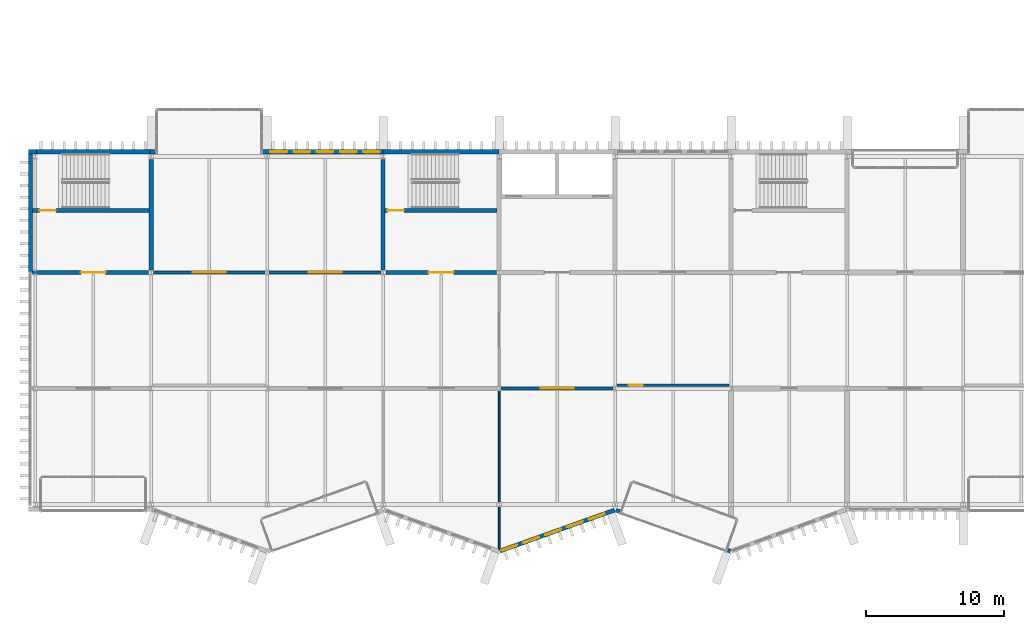
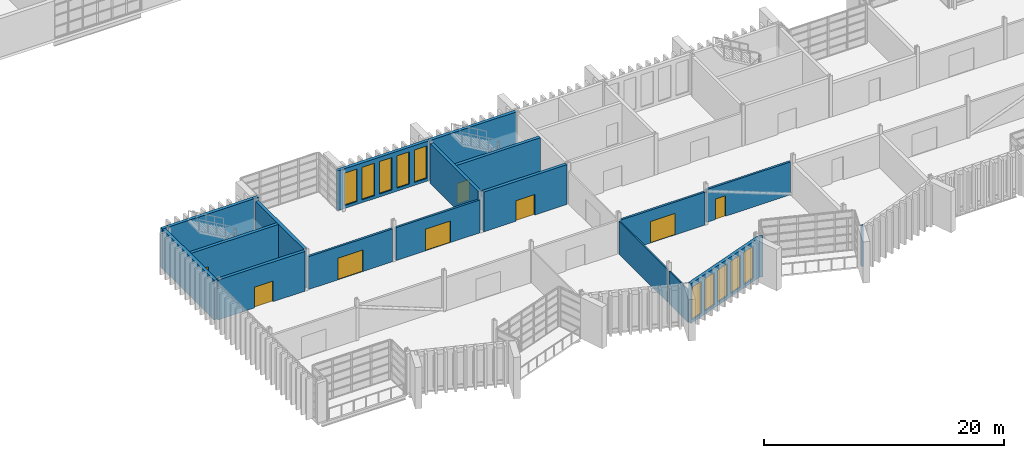
# One storey, part 60 of 100: 21 walls, 10 windows, 8 doors, 18 openings.
"""IFC4 building model written with IfcOpenShell, lengths in metres."""

from ifc_helpers import new_model, si_unit, direction, frame, frame_2d, origin, place, context, subcontext, project, spatial, rectangle, extrude, material, layer, layer_set, type_object, element, fill, save


model = new_model("IFC4")

# Units and contexts
model_context = context("Model", 3, precision=1e-05, world=origin(), true_north=direction((0.0, 1.0)))
body_context = subcontext(model_context, "Body", "Model", "MODEL_VIEW")
ifc_project = project(units=[si_unit("LENGTHUNIT", "METRE"), si_unit("AREAUNIT", "SQUARE_METRE"), si_unit("VOLUMEUNIT", "CUBIC_METRE"), si_unit("PLANEANGLEUNIT", "RADIAN"), si_unit("MASSUNIT", "GRAM", prefix="KILO")], contexts=[model_context])

# Site, building, storey
site_placement = place(None, origin())
site = spatial("IfcSite", under=ifc_project, at=site_placement, CompositionType="ELEMENT")
building_placement = place(site_placement, origin())
building = spatial("IfcBuilding", under=site, at=building_placement, Name="Cresset Court Congress Hotel", CompositionType="ELEMENT")
storey_placement = place(building_placement, frame((0.0, 0.0, 10.199951171875)))
storey = spatial("IfcBuildingStorey", under=building, at=storey_placement, Name="L02", CompositionType="ELEMENT", Elevation=10.199951171875)

# Wall
ifc_material_1 = material(Name="Concrete C50", Category="concrete")
ifc_layer_1 = layer(ifc_material_1, 0.300048828125)
ifc_layer_set_1 = layer_set([ifc_layer_1], Name="Core wall 300 Concrete C50")
wall_type_1 = type_object("IfcWallType", Name="Core wall 300 Concrete C50", PredefinedType="SHEAR", material=ifc_layer_set_1)
wall_1_placement = place(storey_placement, frame((16.800048828125, 17.0, 0.0), z_axis=(0.0, 0.0, 1.0), x_axis=(0.0, 1.0, 0.0)))
element("IfcWall", 1, at=wall_1_placement, inside=storey, type_object=wall_type_1, Name="Core wall ST-B1", PredefinedType="SHEAR", context=body_context, shape_type="SweptSolid", body=[
    extrude(rectangle(XDim=8.0, YDim=0.300048828125, at=frame_2d((4.0, 0.0))), origin(), (0.0, 0.0, 1.0), 4.050048828125),
])

# Wall, opening, door
wall_2_placement = place(storey_placement, frame((8.199951171875, 16.800048828125, 0.0), z_axis=(0.0, 0.0, 1.0), x_axis=(1.0, 0.0, 0.0)))
wall_2 = element("IfcWall", 2, at=wall_2_placement, inside=storey, type_object=wall_type_1, Name="Core wall ST-B1", PredefinedType="SHEAR", context=body_context, shape_type="SweptSolid", body=[
    extrude(rectangle(XDim=8.400146484375, YDim=0.300048828125, at=frame_2d((4.2001953125, 0.0))), origin(), (0.0, 0.0, 1.0), 4.050048828125),
])
opening_1_placement = place(wall_2_placement, frame((3.5, 0.0, 0.0)))
opening_1 = element("IfcOpeningElement", 3, at=opening_1_placement, cuts=wall_2, Name="Opening DB-02-42", PredefinedType="OPENING", context=body_context, shape_type="SweptSolid", body=[
    extrude(rectangle(XDim=1.800048828125, YDim=2.10009765625, at=frame_2d((0.89990234375, 1.050048828125))), frame((0.0, 0.159912109375, 0.0), z_axis=(0.0, -1.0, 0.0), x_axis=(1.0, 0.0, 0.0)), (0.0, 0.0, 1.0), 0.320068359375),
])
ifc_material_2 = material(Name="Timber and steel frame", Category="steel")
door_type_1 = type_object("IfcDoorType", Name="Lobby fire door FD60 double 1800x2100", OperationType="DOUBLE_DOOR_SINGLE_SWING", PredefinedType="DOOR", material=ifc_material_2)
door_1_placement = place(opening_1_placement, origin())
door_1 = element("IfcDoor", 4, at=door_1_placement, inside=storey, type_object=door_type_1, Name="Stair lobby door ST-B1", OperationType="DOUBLE_DOOR_SINGLE_SWING", OverallHeight=2.10009765625, OverallWidth=1.800048828125, PredefinedType="DOOR", context=body_context, shape_type="SweptSolid", body=[
    extrude(rectangle(XDim=1.800048828125, YDim=2.10009765625, at=frame_2d((0.89990234375, 1.050048828125))), frame((0.0, 0.02490234375, 0.0), z_axis=(0.0, -1.0, 0.0), x_axis=(1.0, 0.0, 0.0)), (0.0, 0.0, 1.0), 0.050048828125),
])
fill(opening_1, door_1)

wall_3_placement = place(storey_placement, frame((8.199951171875, 21.300048828125, 0.0), z_axis=(0.0, 0.0, 1.0), x_axis=(1.0, 0.0, 0.0)))
wall_3 = element("IfcWall", 5, at=wall_3_placement, inside=storey, type_object=wall_type_1, Name="Core wall ST-B1", PredefinedType="SHEAR", context=body_context, shape_type="SweptSolid", body=[
    extrude(rectangle(XDim=8.449951171875, YDim=0.300048828125, at=frame_2d((4.22509765625, 0.0))), origin(), (0.0, 0.0, 1.0), 4.050048828125),
])
opening_2_placement = place(wall_3_placement, frame((0.5, 0.0, 0.0)))
opening_2 = element("IfcOpeningElement", 6, at=opening_2_placement, cuts=wall_3, Name="Opening DB-02-41", PredefinedType="OPENING", context=body_context, shape_type="SweptSolid", body=[
    extrude(rectangle(XDim=1.199951171875, YDim=2.10009765625, at=frame_2d((0.60009765625, 1.050048828125))), frame((0.0, 0.159912109375, 0.0), z_axis=(0.0, -1.0, 0.0), x_axis=(1.0, 0.0, 0.0)), (0.0, 0.0, 1.0), 0.320068359375),
])
ifc_material_3 = material(Name="Timber and steel frame", Category="steel")
door_type_2 = type_object("IfcDoorType", Name="Stair fire door FD60 1200x2100", OperationType="SINGLE_SWING_LEFT", PredefinedType="DOOR", material=ifc_material_3)
door_2_placement = place(opening_2_placement, origin())
door_2 = element("IfcDoor", 7, at=door_2_placement, inside=storey, type_object=door_type_2, Name="Stair door ST-B1", OperationType="SINGLE_SWING_LEFT", OverallHeight=2.10009765625, OverallWidth=1.199951171875, PredefinedType="DOOR", context=body_context, shape_type="SweptSolid", body=[
    extrude(rectangle(XDim=1.199951171875, YDim=2.10009765625, at=frame_2d((0.60009765625, 1.050048828125))), frame((0.0, 0.02490234375, 0.0), z_axis=(0.0, -1.0, 0.0), x_axis=(1.0, 0.0, 0.0)), (0.0, 0.0, 1.0), 0.050048828125),
])
fill(opening_2, door_2)

# Wall
wall_4_placement = place(storey_placement, frame((33.60009765625, 17.0, 0.0), z_axis=(0.0, 0.0, 1.0), x_axis=(0.0, 1.0, 0.0)))
element("IfcWall", 8, at=wall_4_placement, inside=storey, type_object=wall_type_1, Name="Core wall ST-B2", PredefinedType="SHEAR", context=body_context, shape_type="SweptSolid", body=[
    extrude(rectangle(XDim=8.0, YDim=0.300048828125, at=frame_2d((4.0, 0.0))), origin(), (0.0, 0.0, 1.0), 4.050048828125),
])

# Wall, opening, door
wall_5_placement = place(storey_placement, frame((33.800048828125, 16.800048828125, 0.0), z_axis=(0.0, 0.0, 1.0), x_axis=(1.0, 0.0, 0.0)))
wall_5 = element("IfcWall", 9, at=wall_5_placement, inside=storey, type_object=wall_type_1, Name="Core wall ST-B2", PredefinedType="SHEAR", context=body_context, shape_type="SweptSolid", body=[
    extrude(rectangle(XDim=8.0, YDim=0.300048828125, at=frame_2d((4.0, 0.0))), origin(), (0.0, 0.0, 1.0), 4.050048828125),
])
opening_3_placement = place(wall_5_placement, frame((3.10009765625, 0.0, 0.0)))
opening_3 = element("IfcOpeningElement", 10, at=opening_3_placement, cuts=wall_5, Name="Opening DB-02-44", PredefinedType="OPENING", context=body_context, shape_type="SweptSolid", body=[
    extrude(rectangle(XDim=1.800048828125, YDim=2.10009765625, at=frame_2d((0.89990234375, 1.050048828125))), frame((0.0, 0.159912109375, 0.0), z_axis=(0.0, -1.0, 0.0), x_axis=(1.0, 0.0, 0.0)), (0.0, 0.0, 1.0), 0.320068359375),
])
door_3_placement = place(opening_3_placement, origin())
door_3 = element("IfcDoor", 11, at=door_3_placement, inside=storey, type_object=door_type_1, Name="Stair lobby door ST-B2", OperationType="DOUBLE_DOOR_SINGLE_SWING", OverallHeight=2.10009765625, OverallWidth=1.800048828125, PredefinedType="DOOR", context=body_context, shape_type="SweptSolid", body=[
    extrude(rectangle(XDim=1.800048828125, YDim=2.10009765625, at=frame_2d((0.89990234375, 1.050048828125))), frame((0.0, 0.02490234375, 0.0), z_axis=(0.0, -1.0, 0.0), x_axis=(1.0, 0.0, 0.0)), (0.0, 0.0, 1.0), 0.050048828125),
])
fill(opening_3, door_3)

wall_6_placement = place(storey_placement, frame((33.75, 21.300048828125, 0.0), z_axis=(0.0, 0.0, 1.0), x_axis=(1.0, 0.0, 0.0)))
wall_6 = element("IfcWall", 12, at=wall_6_placement, inside=storey, type_object=wall_type_1, Name="Core wall ST-B2", PredefinedType="SHEAR", context=body_context, shape_type="SweptSolid", body=[
    extrude(rectangle(XDim=8.10009765625, YDim=0.300048828125, at=frame_2d((4.050048828125, 0.0))), origin(), (0.0, 0.0, 1.0), 4.050048828125),
])
opening_4_placement = place(wall_6_placement, frame((0.14990234375, 0.0, 0.0)))
opening_4 = element("IfcOpeningElement", 13, at=opening_4_placement, cuts=wall_6, Name="Opening DB-02-43", PredefinedType="OPENING", context=body_context, shape_type="SweptSolid", body=[
    extrude(rectangle(XDim=1.199951171875, YDim=2.10009765625, at=frame_2d((0.60009765625, 1.050048828125))), frame((0.0, 0.159912109375, 0.0), z_axis=(0.0, -1.0, 0.0), x_axis=(1.0, 0.0, 0.0)), (0.0, 0.0, 1.0), 0.320068359375),
])
door_4_placement = place(opening_4_placement, origin())
door_4 = element("IfcDoor", 14, at=door_4_placement, inside=storey, type_object=door_type_2, Name="Stair door ST-B2", OperationType="SINGLE_SWING_LEFT", OverallHeight=2.10009765625, OverallWidth=1.199951171875, PredefinedType="DOOR", context=body_context, shape_type="SweptSolid", body=[
    extrude(rectangle(XDim=1.199951171875, YDim=2.10009765625, at=frame_2d((0.60009765625, 1.050048828125))), frame((0.0, 0.02490234375, 0.0), z_axis=(0.0, -1.0, 0.0), x_axis=(1.0, 0.0, 0.0)), (0.0, 0.0, 1.0), 0.050048828125),
])
fill(opening_4, door_4)

# Walls
ifc_material_4 = material(Name="Concrete C50", Category="concrete")
ifc_layer_2 = layer(ifc_material_4, 0.300048828125)
ifc_layer_set_2 = layer_set([ifc_layer_2], Name="Core wall 300 Concrete C50 external")
wall_type_2 = type_object("IfcWallType", Name="Core wall 300 Concrete C50 external", PredefinedType="SHEAR", material=ifc_layer_set_2)
wall_7_placement = place(storey_placement, frame((8.050048828125, 16.800048828125, 0.0), z_axis=(0.0, 0.0, 1.0), x_axis=(0.0, 1.0, 0.0)))
element("IfcWall", 15, at=wall_7_placement, inside=storey, type_object=wall_type_2, Name="Core wall ST-B1", PredefinedType="SHEAR", context=body_context, shape_type="SweptSolid", body=[
    extrude(rectangle(XDim=8.599853515625, YDim=0.300048828125, at=frame_2d((4.2998046875, 0.0))), origin(), (0.0, 0.0, 1.0), 4.050048828125),
])
wall_8_placement = place(storey_placement, frame((8.39990234375, 25.550048828125, 0.0), z_axis=(0.0, 0.0, 1.0), x_axis=(1.0, 0.0, 0.0)))
element("IfcWall", 16, at=wall_8_placement, inside=storey, type_object=wall_type_2, Name="Core wall ST-B1", PredefinedType="SHEAR", context=body_context, shape_type="SweptSolid", body=[
    extrude(rectangle(XDim=8.400146484375, YDim=0.300048828125, at=frame_2d((4.2001953125, 0.0))), origin(), (0.0, 0.0, 1.0), 4.050048828125),
])
wall_9_placement = place(storey_placement, frame((33.60009765625, 25.550048828125, 0.0), z_axis=(0.0, 0.0, 1.0), x_axis=(1.0, 0.0, 0.0)))
element("IfcWall", 17, at=wall_9_placement, inside=storey, type_object=wall_type_2, Name="Core wall ST-B2", PredefinedType="SHEAR", context=body_context, shape_type="SweptSolid", body=[
    extrude(rectangle(XDim=8.39990234375, YDim=0.300048828125, at=frame_2d((4.199951171875, 0.0))), origin(), (0.0, 0.0, 1.0), 4.050048828125),
])

# Wall, openings, windows
ifc_material_5 = material(Name="Concrete C40", Category="concrete")
ifc_layer_3 = layer(ifc_material_5, 0.300048828125)
ifc_layer_set_3 = layer_set([ifc_layer_3], Name="External wall 300 Concrete C40")
wall_type_3 = type_object("IfcWallType", Name="External wall 300 Concrete C40", PredefinedType="SOLIDWALL", material=ifc_layer_set_3)
wall_10_placement = place(storey_placement, frame((42.050537109375, -3.372802734375, 0.0), z_axis=(0.0, 0.0, 1.0), x_axis=(0.941736270411, 0.336352191894, 0.0)))
wall_10 = element("IfcWall", 18, at=wall_10_placement, inside=storey, type_object=wall_type_3, Name="External wall", PredefinedType="SOLIDWALL", context=body_context, shape_type="SweptSolid", body=[
    extrude(rectangle(XDim=8.8125, YDim=0.300048828125, at=frame_2d((4.40625, 0.0))), origin(), (0.0, 0.0, 1.0), 4.050048828125),
])
opening_5_placement = place(wall_10_placement, frame((0.1328125, 0.0, 0.300048828125)))
opening_5 = element("IfcOpeningElement", 19, at=opening_5_placement, cuts=wall_10, Name="Opening NB-02-24", PredefinedType="OPENING", context=body_context, shape_type="SweptSolid", body=[
    extrude(rectangle(XDim=1.199951171875, YDim=3.300048828125, at=frame_2d((0.60009765625, 1.64990234375))), frame((0.0, 0.159912109375, 0.0), z_axis=(0.0, -1.0, 0.0), x_axis=(1.0, 0.0, 0.0)), (0.0, 0.0, 1.0), 0.320068359375),
])
opening_6_placement = place(wall_10_placement, frame((1.81298828125, 0.0, 0.300048828125)))
opening_6 = element("IfcOpeningElement", 20, at=opening_6_placement, cuts=wall_10, Name="Opening NB-02-25", PredefinedType="OPENING", context=body_context, shape_type="SweptSolid", body=[
    extrude(rectangle(XDim=1.199951171875, YDim=3.300048828125, at=frame_2d((0.60009765625, 1.64990234375))), frame((0.0, 0.159912109375, 0.0), z_axis=(0.0, -1.0, 0.0), x_axis=(1.0, 0.0, 0.0)), (0.0, 0.0, 1.0), 0.320068359375),
])
opening_7_placement = place(wall_10_placement, frame((3.492919921875, 0.0, 0.300048828125)))
opening_7 = element("IfcOpeningElement", 21, at=opening_7_placement, cuts=wall_10, Name="Opening NB-02-26", PredefinedType="OPENING", context=body_context, shape_type="SweptSolid", body=[
    extrude(rectangle(XDim=1.199951171875, YDim=3.300048828125, at=frame_2d((0.60009765625, 1.64990234375))), frame((0.0, 0.159912109375, 0.0), z_axis=(0.0, -1.0, 0.0), x_axis=(1.0, 0.0, 0.0)), (0.0, 0.0, 1.0), 0.320068359375),
])
opening_8_placement = place(wall_10_placement, frame((5.1728515625, 0.0, 0.300048828125)))
opening_8 = element("IfcOpeningElement", 22, at=opening_8_placement, cuts=wall_10, Name="Opening NB-02-27", PredefinedType="OPENING", context=body_context, shape_type="SweptSolid", body=[
    extrude(rectangle(XDim=1.199951171875, YDim=3.300048828125, at=frame_2d((0.60009765625, 1.64990234375))), frame((0.0, 0.159912109375, 0.0), z_axis=(0.0, -1.0, 0.0), x_axis=(1.0, 0.0, 0.0)), (0.0, 0.0, 1.0), 0.320068359375),
])
opening_9_placement = place(wall_10_placement, frame((6.852783203125, 0.0, 0.300048828125)))
opening_9 = element("IfcOpeningElement", 23, at=opening_9_placement, cuts=wall_10, Name="Opening NB-02-28", PredefinedType="OPENING", context=body_context, shape_type="SweptSolid", body=[
    extrude(rectangle(XDim=1.199951171875, YDim=3.300048828125, at=frame_2d((0.60009765625, 1.64990234375))), frame((0.0, 0.159912109375, 0.0), z_axis=(0.0, -1.0, 0.0), x_axis=(1.0, 0.0, 0.0)), (0.0, 0.0, 1.0), 0.320068359375),
])
ifc_material_6 = material(Name="Aluminium frame with double glazing", Category="aluminium")
window_type = type_object("IfcWindowType", Name="Window 1200x3300", PartitioningType="TRIPLE_PANEL_VERTICAL", PredefinedType="WINDOW", material=ifc_material_6)
window_1_placement = place(opening_5_placement, origin())
window_1 = element("IfcWindow", 24, at=window_1_placement, inside=storey, type_object=window_type, Name="Window NB-02-24", OverallHeight=3.300048828125, OverallWidth=1.199951171875, PartitioningType="TRIPLE_PANEL_VERTICAL", PredefinedType="WINDOW", context=body_context, shape_type="SweptSolid", body=[
    extrude(rectangle(XDim=1.199951171875, YDim=3.300048828125, at=frame_2d((0.60009765625, 1.64990234375))), frame((0.0, 0.030029296875, 0.0), z_axis=(0.0, -1.0, 0.0), x_axis=(1.0, 0.0, 0.0)), (0.0, 0.0, 1.0), 0.06005859375),
])
fill(opening_5, window_1)
window_2_placement = place(opening_6_placement, origin())
window_2 = element("IfcWindow", 25, at=window_2_placement, inside=storey, type_object=window_type, Name="Window NB-02-25", OverallHeight=3.300048828125, OverallWidth=1.199951171875, PartitioningType="TRIPLE_PANEL_VERTICAL", PredefinedType="WINDOW", context=body_context, shape_type="SweptSolid", body=[
    extrude(rectangle(XDim=1.199951171875, YDim=3.300048828125, at=frame_2d((0.60009765625, 1.64990234375))), frame((0.0, 0.030029296875, 0.0), z_axis=(0.0, -1.0, 0.0), x_axis=(1.0, 0.0, 0.0)), (0.0, 0.0, 1.0), 0.06005859375),
])
fill(opening_6, window_2)
window_3_placement = place(opening_7_placement, origin())
window_3 = element("IfcWindow", 26, at=window_3_placement, inside=storey, type_object=window_type, Name="Window NB-02-26", OverallHeight=3.300048828125, OverallWidth=1.199951171875, PartitioningType="TRIPLE_PANEL_VERTICAL", PredefinedType="WINDOW", context=body_context, shape_type="SweptSolid", body=[
    extrude(rectangle(XDim=1.199951171875, YDim=3.300048828125, at=frame_2d((0.60009765625, 1.64990234375))), frame((0.0, 0.030029296875, 0.0), z_axis=(0.0, -1.0, 0.0), x_axis=(1.0, 0.0, 0.0)), (0.0, 0.0, 1.0), 0.06005859375),
])
fill(opening_7, window_3)
window_4_placement = place(opening_8_placement, origin())
window_4 = element("IfcWindow", 27, at=window_4_placement, inside=storey, type_object=window_type, Name="Window NB-02-27", OverallHeight=3.300048828125, OverallWidth=1.199951171875, PartitioningType="TRIPLE_PANEL_VERTICAL", PredefinedType="WINDOW", context=body_context, shape_type="SweptSolid", body=[
    extrude(rectangle(XDim=1.199951171875, YDim=3.300048828125, at=frame_2d((0.60009765625, 1.64990234375))), frame((0.0, 0.030029296875, 0.0), z_axis=(0.0, -1.0, 0.0), x_axis=(1.0, 0.0, 0.0)), (0.0, 0.0, 1.0), 0.06005859375),
])
fill(opening_8, window_4)
window_5_placement = place(opening_9_placement, origin())
window_5 = element("IfcWindow", 28, at=window_5_placement, inside=storey, type_object=window_type, Name="Window NB-02-28", OverallHeight=3.300048828125, OverallWidth=1.199951171875, PartitioningType="TRIPLE_PANEL_VERTICAL", PredefinedType="WINDOW", context=body_context, shape_type="SweptSolid", body=[
    extrude(rectangle(XDim=1.199951171875, YDim=3.300048828125, at=frame_2d((0.60009765625, 1.64990234375))), frame((0.0, 0.030029296875, 0.0), z_axis=(0.0, -1.0, 0.0), x_axis=(1.0, 0.0, 0.0)), (0.0, 0.0, 1.0), 0.06005859375),
])
fill(opening_9, window_5)

# Walls
wall_11_placement = place(storey_placement, frame((50.450439453125, -0.40869140625, 0.0), z_axis=(0.0, 0.0, 1.0), x_axis=(0.941797147708, -0.336181695768, 0.0)))
element("IfcWall", 29, at=wall_11_placement, inside=storey, type_object=wall_type_3, Name="External wall", PredefinedType="SOLIDWALL", context=body_context, shape_type="SweptSolid", body=[
    extrude(rectangle(XDim=0.300048828125, YDim=0.300048828125, at=frame_2d((0.14990234375, 0.0))), origin(), (0.0, 0.0, 1.0), 4.050048828125),
])
wall_12_placement = place(storey_placement, frame((58.56787109375, -3.307861328125, 0.0), z_axis=(0.0, 0.0, 1.0), x_axis=(0.942000485661, -0.335611509061, 0.0)))
element("IfcWall", 30, at=wall_12_placement, inside=storey, type_object=wall_type_3, Name="External wall", PredefinedType="SOLIDWALL", context=body_context, shape_type="SweptSolid", body=[
    extrude(rectangle(XDim=0.192138671875, YDim=0.300048828125, at=frame_2d((0.09619140625, 0.0))), origin(), (0.0, 0.0, 1.0), 4.050048828125),
])
wall_13_placement = place(storey_placement, frame((7.89990234375, 25.550048828125, 0.0), z_axis=(0.0, 0.0, 1.0), x_axis=(1.0, 0.0, 0.0)))
element("IfcWall", 31, at=wall_13_placement, inside=storey, type_object=wall_type_3, Name="External wall", PredefinedType="SOLIDWALL", context=body_context, shape_type="SweptSolid", body=[
    extrude(rectangle(XDim=0.60009765625, YDim=0.300048828125, at=frame_2d((0.300048828125, 0.0))), origin(), (0.0, 0.0, 1.0), 4.050048828125),
])
wall_14_placement = place(storey_placement, frame((16.699951171875, 25.550048828125, 0.0), z_axis=(0.0, 0.0, 1.0), x_axis=(1.0, 0.0, 0.0)))
element("IfcWall", 32, at=wall_14_placement, inside=storey, type_object=wall_type_3, Name="External wall", PredefinedType="SOLIDWALL", context=body_context, shape_type="SweptSolid", body=[
    extrude(rectangle(XDim=0.5, YDim=0.300048828125, at=frame_2d((0.25, 0.0))), origin(), (0.0, 0.0, 1.0), 4.050048828125),
])

# Wall, openings, windows
wall_15_placement = place(storey_placement, frame((24.800048828125, 25.550048828125, 0.0), z_axis=(0.0, 0.0, 1.0), x_axis=(1.0, 0.0, 0.0)))
wall_15 = element("IfcWall", 33, at=wall_15_placement, inside=storey, type_object=wall_type_3, Name="External wall", PredefinedType="SOLIDWALL", context=body_context, shape_type="SweptSolid", body=[
    extrude(rectangle(XDim=8.89990234375, YDim=0.300048828125, at=frame_2d((4.449951171875, 0.0))), origin(), (0.0, 0.0, 1.0), 4.050048828125),
])
opening_10_placement = place(wall_15_placement, frame((0.639892578125, 0.0, 0.300048828125)))
opening_10 = element("IfcOpeningElement", 34, at=opening_10_placement, cuts=wall_15, Name="Opening NB-02-49", PredefinedType="OPENING", context=body_context, shape_type="SweptSolid", body=[
    extrude(rectangle(XDim=1.199951171875, YDim=3.300048828125, at=frame_2d((0.60009765625, 1.64990234375))), frame((0.0, 0.159912109375, 0.0), z_axis=(0.0, -1.0, 0.0), x_axis=(1.0, 0.0, 0.0)), (0.0, 0.0, 1.0), 0.320068359375),
])
opening_11_placement = place(wall_15_placement, frame((2.320068359375, 0.0, 0.300048828125)))
opening_11 = element("IfcOpeningElement", 35, at=opening_11_placement, cuts=wall_15, Name="Opening NB-02-50", PredefinedType="OPENING", context=body_context, shape_type="SweptSolid", body=[
    extrude(rectangle(XDim=1.199951171875, YDim=3.300048828125, at=frame_2d((0.60009765625, 1.64990234375))), frame((0.0, 0.159912109375, 0.0), z_axis=(0.0, -1.0, 0.0), x_axis=(1.0, 0.0, 0.0)), (0.0, 0.0, 1.0), 0.320068359375),
])
opening_12_placement = place(wall_15_placement, frame((4.0, 0.0, 0.300048828125)))
opening_12 = element("IfcOpeningElement", 36, at=opening_12_placement, cuts=wall_15, Name="Opening NB-02-51", PredefinedType="OPENING", context=body_context, shape_type="SweptSolid", body=[
    extrude(rectangle(XDim=1.199951171875, YDim=3.300048828125, at=frame_2d((0.60009765625, 1.64990234375))), frame((0.0, 0.159912109375, 0.0), z_axis=(0.0, -1.0, 0.0), x_axis=(1.0, 0.0, 0.0)), (0.0, 0.0, 1.0), 0.320068359375),
])
opening_13_placement = place(wall_15_placement, frame((5.679931640625, 0.0, 0.300048828125)))
opening_13 = element("IfcOpeningElement", 37, at=opening_13_placement, cuts=wall_15, Name="Opening NB-02-52", PredefinedType="OPENING", context=body_context, shape_type="SweptSolid", body=[
    extrude(rectangle(XDim=1.199951171875, YDim=3.300048828125, at=frame_2d((0.60009765625, 1.64990234375))), frame((0.0, 0.159912109375, 0.0), z_axis=(0.0, -1.0, 0.0), x_axis=(1.0, 0.0, 0.0)), (0.0, 0.0, 1.0), 0.320068359375),
])
opening_14_placement = place(wall_15_placement, frame((7.360107421875, 0.0, 0.300048828125)))
opening_14 = element("IfcOpeningElement", 38, at=opening_14_placement, cuts=wall_15, Name="Opening NB-02-53", PredefinedType="OPENING", context=body_context, shape_type="SweptSolid", body=[
    extrude(rectangle(XDim=1.199951171875, YDim=3.300048828125, at=frame_2d((0.60009765625, 1.64990234375))), frame((0.0, 0.159912109375, 0.0), z_axis=(0.0, -1.0, 0.0), x_axis=(1.0, 0.0, 0.0)), (0.0, 0.0, 1.0), 0.320068359375),
])
window_6_placement = place(opening_10_placement, origin())
window_6 = element("IfcWindow", 39, at=window_6_placement, inside=storey, type_object=window_type, Name="Window NB-02-49", OverallHeight=3.300048828125, OverallWidth=1.199951171875, PartitioningType="TRIPLE_PANEL_VERTICAL", PredefinedType="WINDOW", context=body_context, shape_type="SweptSolid", body=[
    extrude(rectangle(XDim=1.199951171875, YDim=3.300048828125, at=frame_2d((0.60009765625, 1.64990234375))), frame((0.0, 0.030029296875, 0.0), z_axis=(0.0, -1.0, 0.0), x_axis=(1.0, 0.0, 0.0)), (0.0, 0.0, 1.0), 0.06005859375),
])
fill(opening_10, window_6)
window_7_placement = place(opening_11_placement, origin())
window_7 = element("IfcWindow", 40, at=window_7_placement, inside=storey, type_object=window_type, Name="Window NB-02-50", OverallHeight=3.300048828125, OverallWidth=1.199951171875, PartitioningType="TRIPLE_PANEL_VERTICAL", PredefinedType="WINDOW", context=body_context, shape_type="SweptSolid", body=[
    extrude(rectangle(XDim=1.199951171875, YDim=3.300048828125, at=frame_2d((0.60009765625, 1.64990234375))), frame((0.0, 0.030029296875, 0.0), z_axis=(0.0, -1.0, 0.0), x_axis=(1.0, 0.0, 0.0)), (0.0, 0.0, 1.0), 0.06005859375),
])
fill(opening_11, window_7)
window_8_placement = place(opening_12_placement, origin())
window_8 = element("IfcWindow", 41, at=window_8_placement, inside=storey, type_object=window_type, Name="Window NB-02-51", OverallHeight=3.300048828125, OverallWidth=1.199951171875, PartitioningType="TRIPLE_PANEL_VERTICAL", PredefinedType="WINDOW", context=body_context, shape_type="SweptSolid", body=[
    extrude(rectangle(XDim=1.199951171875, YDim=3.300048828125, at=frame_2d((0.60009765625, 1.64990234375))), frame((0.0, 0.030029296875, 0.0), z_axis=(0.0, -1.0, 0.0), x_axis=(1.0, 0.0, 0.0)), (0.0, 0.0, 1.0), 0.06005859375),
])
fill(opening_12, window_8)
window_9_placement = place(opening_13_placement, origin())
window_9 = element("IfcWindow", 42, at=window_9_placement, inside=storey, type_object=window_type, Name="Window NB-02-52", OverallHeight=3.300048828125, OverallWidth=1.199951171875, PartitioningType="TRIPLE_PANEL_VERTICAL", PredefinedType="WINDOW", context=body_context, shape_type="SweptSolid", body=[
    extrude(rectangle(XDim=1.199951171875, YDim=3.300048828125, at=frame_2d((0.60009765625, 1.64990234375))), frame((0.0, 0.030029296875, 0.0), z_axis=(0.0, -1.0, 0.0), x_axis=(1.0, 0.0, 0.0)), (0.0, 0.0, 1.0), 0.06005859375),
])
fill(opening_13, window_9)
window_10_placement = place(opening_14_placement, origin())
window_10 = element("IfcWindow", 43, at=window_10_placement, inside=storey, type_object=window_type, Name="Window NB-02-53", OverallHeight=3.300048828125, OverallWidth=1.199951171875, PartitioningType="TRIPLE_PANEL_VERTICAL", PredefinedType="WINDOW", context=body_context, shape_type="SweptSolid", body=[
    extrude(rectangle(XDim=1.199951171875, YDim=3.300048828125, at=frame_2d((0.60009765625, 1.64990234375))), frame((0.0, 0.030029296875, 0.0), z_axis=(0.0, -1.0, 0.0), x_axis=(1.0, 0.0, 0.0)), (0.0, 0.0, 1.0), 0.06005859375),
])
fill(opening_14, window_10)

# Wall, opening, door
ifc_material_7 = material(Name="Gypsum board on steel studs", Category="steel")
ifc_layer_4 = layer(ifc_material_7, 0.199951171875)
ifc_layer_set_4 = layer_set([ifc_layer_4], Name="Foyer wall 200")
wall_type_4 = type_object("IfcWallType", Name="Foyer wall 200", PredefinedType="PARTITIONING", material=ifc_layer_set_4)
wall_16_placement = place(storey_placement, frame((42.14990234375, 8.39990234375, 0.0), z_axis=(0.0, 0.0, 1.0), x_axis=(1.0, 0.0, 0.0)))
wall_16 = element("IfcWall", 44, at=wall_16_placement, inside=storey, type_object=wall_type_4, Name="Foyer wall", PredefinedType="PARTITIONING", context=body_context, shape_type="SweptSolid", body=[
    extrude(rectangle(XDim=8.10009765625, YDim=0.199951171875, at=frame_2d((4.050048828125, 0.0))), origin(), (0.0, 0.0, 1.0), 3.35009765625),
])
opening_15_placement = place(wall_16_placement, frame((2.85009765625, 0.0, 0.0)))
opening_15 = element("IfcOpeningElement", 45, at=opening_15_placement, cuts=wall_16, Name="Opening DB-02-04", PredefinedType="OPENING", context=body_context, shape_type="SweptSolid", body=[
    extrude(rectangle(XDim=2.39990234375, YDim=2.199951171875, at=frame_2d((1.199951171875, 1.10009765625))), frame((0.0, 0.10986328125, 0.0), z_axis=(0.0, -1.0, 0.0), x_axis=(1.0, 0.0, 0.0)), (0.0, 0.0, 1.0), 0.219970703125),
])
ifc_material_8 = material(Name="Timber and steel frame", Category="steel")
door_type_3 = type_object("IfcDoorType", Name="Fire door FD30 double 2400x2200", OperationType="DOUBLE_DOOR_SINGLE_SWING", PredefinedType="DOOR", material=ifc_material_8)
door_5_placement = place(opening_15_placement, origin())
door_5 = element("IfcDoor", 46, at=door_5_placement, inside=storey, type_object=door_type_3, Name="Meeting Room door", OperationType="DOUBLE_DOOR_SINGLE_SWING", OverallHeight=2.199951171875, OverallWidth=2.39990234375, PredefinedType="DOOR", context=body_context, shape_type="SweptSolid", body=[
    extrude(rectangle(XDim=2.39990234375, YDim=2.199951171875, at=frame_2d((1.199951171875, 1.10009765625))), frame((0.0, 0.02490234375, 0.0), z_axis=(0.0, -1.0, 0.0), x_axis=(1.0, 0.0, 0.0)), (0.0, 0.0, 1.0), 0.050048828125),
])
fill(opening_15, door_5)

wall_17_placement = place(storey_placement, frame((50.550048828125, 8.646484375, 0.0), z_axis=(0.0, 0.0, 1.0), x_axis=(1.0, 0.0, 0.0)))
wall_17 = element("IfcWall", 47, at=wall_17_placement, inside=storey, type_object=wall_type_4, Name="Foyer wall", PredefinedType="PARTITIONING", context=body_context, shape_type="SweptSolid", body=[
    extrude(rectangle(XDim=8.099853515625, YDim=0.199951171875, at=frame_2d((4.0498046875, 0.0))), origin(), (0.0, 0.0, 1.0), 3.35009765625),
])
opening_16_placement = place(wall_17_placement, frame((0.85009765625, 0.0, 0.0)))
opening_16 = element("IfcOpeningElement", 48, at=opening_16_placement, cuts=wall_17, Name="Opening DB-02-05", PredefinedType="OPENING", context=body_context, shape_type="SweptSolid", body=[
    extrude(rectangle(XDim=1.0, YDim=2.10009765625, at=frame_2d((0.5, 1.050048828125))), frame((0.0, 0.10986328125, 0.0), z_axis=(0.0, -1.0, 0.0), x_axis=(1.0, 0.0, 0.0)), (0.0, 0.0, 1.0), 0.219970703125),
])
ifc_material_9 = material(Name="Timber and steel frame", Category="steel")
door_type_4 = type_object("IfcDoorType", Name="Fire door FD30 single 1000x2100", OperationType="SINGLE_SWING_LEFT", PredefinedType="DOOR", material=ifc_material_9)
door_6_placement = place(opening_16_placement, origin())
door_6 = element("IfcDoor", 49, at=door_6_placement, inside=storey, type_object=door_type_4, Name="Meeting Room door", OperationType="SINGLE_SWING_LEFT", OverallHeight=2.10009765625, OverallWidth=1.0, PredefinedType="DOOR", context=body_context, shape_type="SweptSolid", body=[
    extrude(rectangle(XDim=1.0, YDim=2.10009765625, at=frame_2d((0.5, 1.050048828125))), frame((0.0, 0.02490234375, 0.0), z_axis=(0.0, -1.0, 0.0), x_axis=(1.0, 0.0, 0.0)), (0.0, 0.0, 1.0), 0.050048828125),
])
fill(opening_16, door_6)

wall_18_placement = place(storey_placement, frame((16.949951171875, 16.800048828125, 0.0), z_axis=(0.0, 0.0, 1.0), x_axis=(1.0, 0.0, 0.0)))
wall_18 = element("IfcWall", 50, at=wall_18_placement, inside=storey, type_object=wall_type_4, Name="Foyer wall", PredefinedType="PARTITIONING", context=body_context, shape_type="SweptSolid", body=[
    extrude(rectangle(XDim=8.10009765625, YDim=0.199951171875, at=frame_2d((4.050048828125, 0.0))), origin(), (0.0, 0.0, 1.0), 3.35009765625),
])
opening_17_placement = place(wall_18_placement, frame((2.85009765625, 0.0, 0.0)))
opening_17 = element("IfcOpeningElement", 51, at=opening_17_placement, cuts=wall_18, Name="Opening DB-02-17", PredefinedType="OPENING", context=body_context, shape_type="SweptSolid", body=[
    extrude(rectangle(XDim=2.39990234375, YDim=2.199951171875, at=frame_2d((1.199951171875, 1.10009765625))), frame((0.0, 0.10986328125, 0.0), z_axis=(0.0, -1.0, 0.0), x_axis=(1.0, 0.0, 0.0)), (0.0, 0.0, 1.0), 0.219970703125),
])
door_7_placement = place(opening_17_placement, origin())
door_7 = element("IfcDoor", 52, at=door_7_placement, inside=storey, type_object=door_type_3, Name="Meeting Room door", OperationType="DOUBLE_DOOR_SINGLE_SWING", OverallHeight=2.199951171875, OverallWidth=2.39990234375, PredefinedType="DOOR", context=body_context, shape_type="SweptSolid", body=[
    extrude(rectangle(XDim=2.39990234375, YDim=2.199951171875, at=frame_2d((1.199951171875, 1.10009765625))), frame((0.0, 0.02490234375, 0.0), z_axis=(0.0, -1.0, 0.0), x_axis=(1.0, 0.0, 0.0)), (0.0, 0.0, 1.0), 0.050048828125),
])
fill(opening_17, door_7)

wall_19_placement = place(storey_placement, frame((25.35009765625, 16.800048828125, 0.0), z_axis=(0.0, 0.0, 1.0), x_axis=(1.0, 0.0, 0.0)))
wall_19 = element("IfcWall", 53, at=wall_19_placement, inside=storey, type_object=wall_type_4, Name="Foyer wall", PredefinedType="PARTITIONING", context=body_context, shape_type="SweptSolid", body=[
    extrude(rectangle(XDim=8.099853515625, YDim=0.199951171875, at=frame_2d((4.0498046875, 0.0))), origin(), (0.0, 0.0, 1.0), 3.35009765625),
])
opening_18_placement = place(wall_19_placement, frame((2.85009765625, 0.0, 0.0)))
opening_18 = element("IfcOpeningElement", 54, at=opening_18_placement, cuts=wall_19, Name="Opening DB-02-18", PredefinedType="OPENING", context=body_context, shape_type="SweptSolid", body=[
    extrude(rectangle(XDim=2.39990234375, YDim=2.199951171875, at=frame_2d((1.199951171875, 1.10009765625))), frame((0.0, 0.10986328125, 0.0), z_axis=(0.0, -1.0, 0.0), x_axis=(1.0, 0.0, 0.0)), (0.0, 0.0, 1.0), 0.219970703125),
])
door_8_placement = place(opening_18_placement, origin())
door_8 = element("IfcDoor", 55, at=door_8_placement, inside=storey, type_object=door_type_3, Name="Meeting Room door", OperationType="DOUBLE_DOOR_SINGLE_SWING", OverallHeight=2.199951171875, OverallWidth=2.39990234375, PredefinedType="DOOR", context=body_context, shape_type="SweptSolid", body=[
    extrude(rectangle(XDim=2.39990234375, YDim=2.199951171875, at=frame_2d((1.199951171875, 1.10009765625))), frame((0.0, 0.02490234375, 0.0), z_axis=(0.0, -1.0, 0.0), x_axis=(1.0, 0.0, 0.0)), (0.0, 0.0, 1.0), 0.050048828125),
])
fill(opening_18, door_8)

# Walls
ifc_material_10 = material(Name="Laminated timber panels", Category="wood")
ifc_layer_5 = layer(ifc_material_10, 0.125)
ifc_layer_set_5 = layer_set([ifc_layer_5], Name="Operable partition 125")
wall_type_5 = type_object("IfcWallType", Name="Operable partition 125", PredefinedType="MOVABLE", material=ifc_layer_set_5)
wall_20_placement = place(storey_placement, frame((42.0, -3.2314453125, 0.0), z_axis=(0.0, 0.0, 1.0), x_axis=(0.0, 1.0, 0.0)))
element("IfcWall", 56, at=wall_20_placement, inside=storey, type_object=wall_type_5, Name="Operable partition", PredefinedType="MOVABLE", context=body_context, shape_type="SweptSolid", body=[
    extrude(rectangle(XDim=3.08154296875, YDim=0.125, at=frame_2d((1.540771484375, 0.0))), origin(), (0.0, 0.0, 1.0), 3.35009765625),
])
wall_21_placement = place(storey_placement, frame((42.0, 0.14990234375, 0.0), z_axis=(0.0, 0.0, 1.0), x_axis=(0.0, 1.0, 0.0)))
element("IfcWall", 57, at=wall_21_placement, inside=storey, type_object=wall_type_5, Name="Operable partition", PredefinedType="MOVABLE", context=body_context, shape_type="SweptSolid", body=[
    extrude(rectangle(XDim=8.10009765625, YDim=0.125, at=frame_2d((4.050048828125, 0.0))), origin(), (0.0, 0.0, 1.0), 3.35009765625),
])

save(model, "model.ifc")
